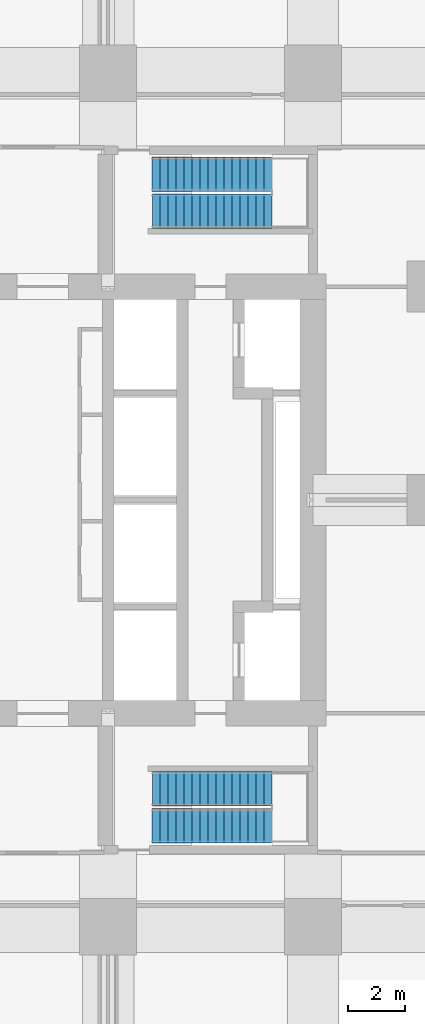
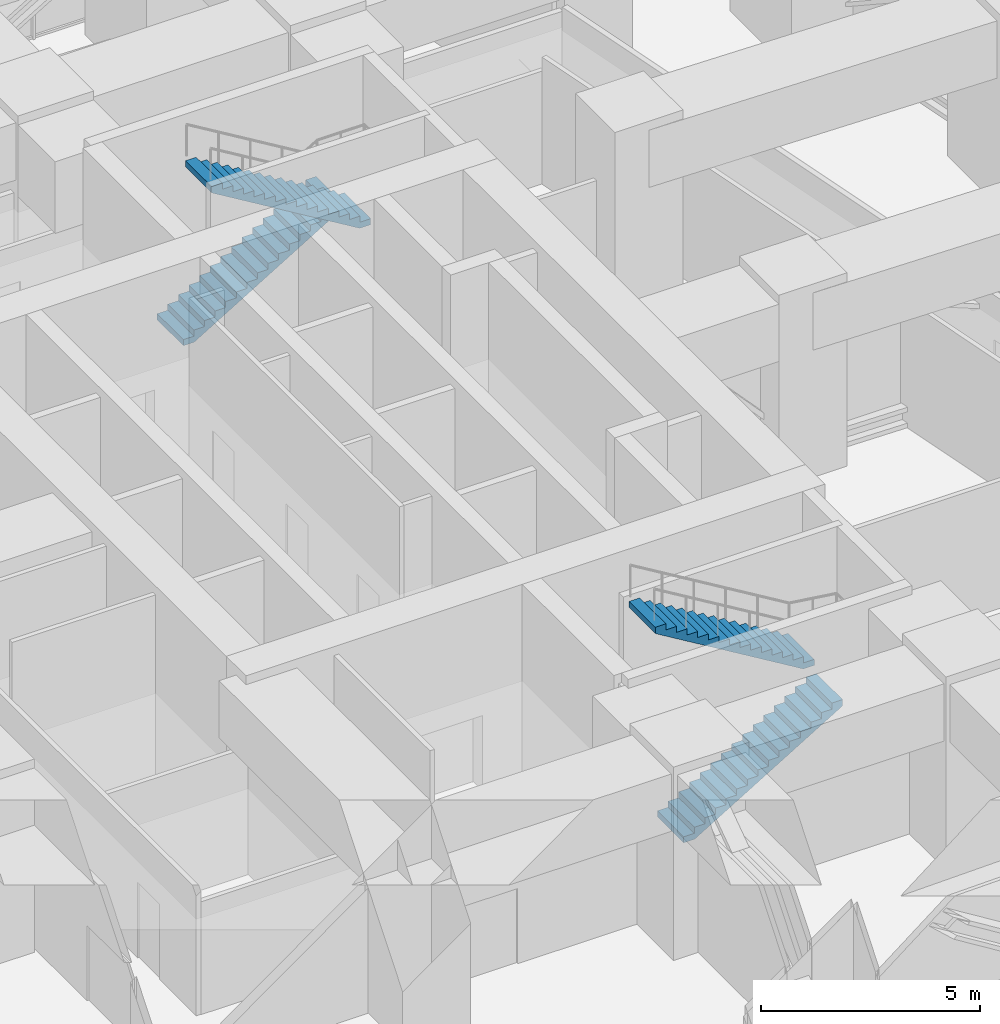
# One storey, part 19 of 20: 4 stair flights, 2 elements without a shape of their own.
"""IFC4 building model written with IfcOpenShell, lengths in metres."""

from ifc_helpers import new_model, si_unit, direction, frame, origin, place, context, subcontext, project, spatial, triangles, material, type_object, element, aggregate, save


model = new_model("IFC4")

# Units and contexts
model_context = context("Model", 3, precision=1e-05, world=origin(), true_north=direction((0.0, 1.0)))
body_context = subcontext(model_context, "Body", "Model", "MODEL_VIEW")
ifc_project = project(units=[si_unit("LENGTHUNIT", "METRE"), si_unit("AREAUNIT", "SQUARE_METRE"), si_unit("VOLUMEUNIT", "CUBIC_METRE"), si_unit("PLANEANGLEUNIT", "RADIAN"), si_unit("MASSUNIT", "GRAM", prefix="KILO")], contexts=[model_context])

# Site, building, storey
site_placement = place(None, origin())
site = spatial("IfcSite", under=ifc_project, at=site_placement, CompositionType="ELEMENT")
building_placement = place(site_placement, origin())
building = spatial("IfcBuilding", under=site, at=building_placement, Name="Sheger Commons Tower", CompositionType="ELEMENT")
storey_placement = place(building_placement, frame((0.0, 0.0, 72.5)))
storey = spatial("IfcBuildingStorey", under=building, at=storey_placement, Name="L18", CompositionType="ELEMENT", Elevation=72.5)

# Stair, stair flights
ifc_material_1 = material(Name="Concrete C35/45", Category="concrete")
stair_type = type_object("IfcStairType", Name="HALF-TURN STAIR 1200 RISE 5400", PredefinedType="HALF_TURN_STAIR", material=ifc_material_1)
stair_1_placement = place(storey_placement, origin())
stair_1 = element("IfcStair", 1, at=stair_1_placement, inside=storey, type_object=stair_type, Name="Stair S1 L18", PredefinedType="HALF_TURN_STAIR")
ifc_material_2 = material(Name="Concrete C35/45", Category="concrete")
stair_flight_type = type_object("IfcStairFlightType", Name="STAIR FLIGHT 1200 16 RISERS OF 169", PredefinedType="STRAIGHT", material=ifc_material_2)
stair_flight_1_placement = place(storey_placement, frame((23.14990234375, 11.050048828125, 0.0), z_axis=(0.0, 0.0, 1.0), x_axis=(1.0, 0.0, 0.0)))
stair_flight_1 = element("IfcStairFlight", 2, at=stair_flight_1_placement, type_object=stair_flight_type, Name="S1 flight 1", NumberOfRisers=16, NumberOfTreads=15, PredefinedType="STRAIGHT", RiserHeight=0.16875, TreadLength=0.28, context=body_context, shape_type="Tessellation", body=[
    triangles([(0.0, 0.5999755859375, 0.0), (0.0, 0.5999755859375, 0.168701171875), (0.280029296875, 0.5999755859375, 0.168701171875), (0.280029296875, 0.5999755859375, 0.33740234375), (0.56005859375, 0.5999755859375, 0.33740234375), (0.56005859375, 0.5999755859375, 0.50634765625), (0.840087890625, 0.5999755859375, 0.50634765625), (0.840087890625, 0.5999755859375, 0.675048828125), (1.1201171875, 0.5999755859375, 0.675048828125), (1.1201171875, 0.5999755859375, 0.84375), (1.39990234375, 0.5999755859375, 0.84375), (1.39990234375, 0.5999755859375, 1.012451171875), (1.679931640625, 0.5999755859375, 1.012451171875), (1.679931640625, 0.5999755859375, 1.18115234375), (1.9599609375, 0.5999755859375, 1.18115234375), (1.9599609375, 0.5999755859375, 1.35009765625), (2.239990234375, 0.5999755859375, 1.35009765625), (2.239990234375, 0.5999755859375, 1.518798828125), (2.52001953125, 0.5999755859375, 1.518798828125), (2.52001953125, 0.5999755859375, 1.6875), (2.800048828125, 0.5999755859375, 1.6875), (2.800048828125, 0.5999755859375, 1.856201171875), (3.080078125, 0.5999755859375, 1.856201171875), (3.080078125, 0.5999755859375, 2.02490234375), (3.360107421875, 0.5999755859375, 2.02490234375), (3.360107421875, 0.5999755859375, 2.19384765625), (3.639892578125, 0.5999755859375, 2.19384765625), (3.639892578125, 0.5999755859375, 2.362548828125), (3.919921875, 0.5999755859375, 2.362548828125), (3.919921875, 0.5999755859375, 2.53125), (4.199951171875, 0.5999755859375, 2.53125), (4.199951171875, 0.5999755859375, 2.356201171875), (0.29052734375, 0.5999755859375, 0.0), (0.0, -0.5999755859375, 0.0), (0.0, -0.5999755859375, 0.168701171875), (0.280029296875, -0.5999755859375, 0.168701171875), (0.280029296875, -0.5999755859375, 0.33740234375), (0.56005859375, -0.5999755859375, 0.33740234375), (0.56005859375, -0.5999755859375, 0.50634765625), (0.840087890625, -0.5999755859375, 0.50634765625), (0.840087890625, -0.5999755859375, 0.675048828125), (1.1201171875, -0.5999755859375, 0.675048828125), (1.1201171875, -0.5999755859375, 0.84375), (1.39990234375, -0.5999755859375, 0.84375), (1.39990234375, -0.5999755859375, 1.012451171875), (1.679931640625, -0.5999755859375, 1.012451171875), (1.679931640625, -0.5999755859375, 1.18115234375), (1.9599609375, -0.5999755859375, 1.18115234375), (1.9599609375, -0.5999755859375, 1.35009765625), (2.239990234375, -0.5999755859375, 1.35009765625), (2.239990234375, -0.5999755859375, 1.518798828125), (2.52001953125, -0.5999755859375, 1.518798828125), (2.52001953125, -0.5999755859375, 1.6875), (2.800048828125, -0.5999755859375, 1.6875), (2.800048828125, -0.5999755859375, 1.856201171875), (3.080078125, -0.5999755859375, 1.856201171875), (3.080078125, -0.5999755859375, 2.02490234375), (3.360107421875, -0.5999755859375, 2.02490234375), (3.360107421875, -0.5999755859375, 2.19384765625), (3.639892578125, -0.5999755859375, 2.19384765625), (3.639892578125, -0.5999755859375, 2.362548828125), (3.919921875, -0.5999755859375, 2.362548828125), (3.919921875, -0.5999755859375, 2.53125), (4.199951171875, -0.5999755859375, 2.53125), (4.199951171875, -0.5999755859375, 2.356201171875), (0.29052734375, -0.5999755859375, 0.0), (0.0, 0.0, 0.0843505859375), (0.1400146484375, 0.0, 0.168701171875), (0.280029296875, 0.0, 0.2530517578125), (0.4200439453125, 0.0, 0.33740234375), (0.56005859375, 0.0, 0.421875), (0.7000732421875, 0.0, 0.50634765625), (0.840087890625, 0.0, 0.5906982421875), (0.9801025390625, 0.0, 0.675048828125), (1.1201171875, 0.0, 0.7593994140625), (1.260009765625, 0.0, 0.84375), (1.39990234375, 0.0, 0.9281005859375), (1.5399169921875, 0.0, 1.012451171875), (1.679931640625, 0.0, 1.0968017578125), (1.8199462890625, 0.0, 1.18115234375), (1.9599609375, 0.0, 1.265625), (2.0999755859375, 0.0, 1.35009765625), (2.239990234375, 0.0, 1.4344482421875), (2.3800048828125, 0.0, 1.518798828125), (2.52001953125, 0.0, 1.6031494140625), (2.6600341796875, 0.0, 1.6875), (2.800048828125, 0.0, 1.7718505859375), (2.9400634765625, 0.0, 1.856201171875), (3.080078125, 0.0, 1.9405517578125), (3.2200927734375, 0.0, 2.02490234375), (3.360107421875, 0.0, 2.109375), (3.5, 0.0, 2.19384765625), (3.639892578125, 0.0, 2.2781982421875), (3.7799072265625, 0.0, 2.362548828125), (3.919921875, 0.0, 2.4468994140625), (4.0599365234375, 0.0, 2.53125), (4.199951171875, 0.0, 2.4437255859375), (2.2452392578125, 0.0, 1.1781005859375), (0.145263671875, 0.0, 0.0)], [[1, 32, 33], [34, 66, 65], [32, 30, 31], [65, 64, 63], [32, 29, 30], [65, 63, 62], [32, 28, 29], [65, 62, 61], [32, 27, 28], [65, 61, 60], [27, 25, 26], [60, 59, 58], [32, 25, 27], [65, 60, 58], [25, 23, 24], [58, 57, 56], [32, 23, 25], [65, 58, 56], [23, 21, 22], [56, 55, 54], [32, 21, 23], [65, 56, 54], [21, 19, 20], [54, 53, 52], [32, 19, 21], [65, 54, 52], [19, 17, 18], [52, 51, 50], [32, 17, 19], [65, 52, 50], [17, 15, 16], [50, 49, 48], [32, 15, 17], [65, 50, 48], [15, 13, 14], [48, 47, 46], [32, 13, 15], [65, 48, 46], [13, 11, 12], [46, 45, 44], [32, 11, 13], [65, 46, 44], [11, 9, 10], [44, 43, 42], [32, 9, 11], [65, 44, 42], [9, 7, 8], [42, 41, 40], [32, 7, 9], [65, 42, 40], [7, 5, 6], [40, 39, 38], [32, 5, 7], [65, 40, 38], [5, 3, 4], [38, 37, 36], [32, 3, 5], [65, 38, 36], [1, 3, 32], [34, 65, 36], [3, 1, 2], [36, 35, 34], [1, 67, 2], [2, 67, 35], [35, 67, 34], [34, 67, 1], [2, 68, 3], [3, 68, 36], [36, 68, 35], [35, 68, 2], [3, 69, 4], [4, 69, 37], [37, 69, 36], [36, 69, 3], [4, 70, 5], [5, 70, 38], [38, 70, 37], [37, 70, 4], [5, 71, 6], [6, 71, 39], [39, 71, 38], [38, 71, 5], [6, 72, 7], [7, 72, 40], [40, 72, 39], [39, 72, 6], [7, 73, 8], [8, 73, 41], [41, 73, 40], [40, 73, 7], [8, 74, 9], [9, 74, 42], [42, 74, 41], [41, 74, 8], [9, 75, 10], [10, 75, 43], [43, 75, 42], [42, 75, 9], [10, 76, 11], [11, 76, 44], [44, 76, 43], [43, 76, 10], [11, 77, 12], [12, 77, 45], [45, 77, 44], [44, 77, 11], [12, 78, 13], [13, 78, 46], [46, 78, 45], [45, 78, 12], [13, 79, 14], [14, 79, 47], [47, 79, 46], [46, 79, 13], [14, 80, 15], [15, 80, 48], [48, 80, 47], [47, 80, 14], [15, 81, 16], [16, 81, 49], [49, 81, 48], [48, 81, 15], [16, 82, 17], [17, 82, 50], [50, 82, 49], [49, 82, 16], [17, 83, 18], [18, 83, 51], [51, 83, 50], [50, 83, 17], [18, 84, 19], [19, 84, 52], [52, 84, 51], [51, 84, 18], [19, 85, 20], [20, 85, 53], [53, 85, 52], [52, 85, 19], [20, 86, 21], [21, 86, 54], [54, 86, 53], [53, 86, 20], [21, 87, 22], [22, 87, 55], [55, 87, 54], [54, 87, 21], [22, 88, 23], [23, 88, 56], [56, 88, 55], [55, 88, 22], [23, 89, 24], [24, 89, 57], [57, 89, 56], [56, 89, 23], [24, 90, 25], [25, 90, 58], [58, 90, 57], [57, 90, 24], [25, 91, 26], [26, 91, 59], [59, 91, 58], [58, 91, 25], [26, 92, 27], [27, 92, 60], [60, 92, 59], [59, 92, 26], [27, 93, 28], [28, 93, 61], [61, 93, 60], [60, 93, 27], [28, 94, 29], [29, 94, 62], [62, 94, 61], [61, 94, 28], [29, 95, 30], [30, 95, 63], [63, 95, 62], [62, 95, 29], [30, 96, 31], [31, 96, 64], [64, 96, 63], [63, 96, 30], [31, 97, 32], [32, 97, 65], [65, 97, 64], [64, 97, 31], [32, 98, 33], [33, 98, 66], [66, 98, 65], [65, 98, 32], [33, 99, 1], [1, 99, 34], [34, 99, 66], [66, 99, 33]], closed=True),
])
stair_flight_2_placement = place(storey_placement, frame((27.35009765625, 12.35009765625, 2.699951171875), z_axis=(0.0, 0.0, 1.0), x_axis=(-1.0, 0.0, 0.0)))
stair_flight_2 = element("IfcStairFlight", 3, at=stair_flight_2_placement, type_object=stair_flight_type, Name="S1 flight 2", NumberOfRisers=16, NumberOfTreads=15, PredefinedType="STRAIGHT", RiserHeight=0.16875, TreadLength=0.28, context=body_context, shape_type="Tessellation", body=[
    triangles([(0.0, 0.5999755859375, 0.0), (0.0, 0.5999755859375, 0.168701171875), (0.280029296875, 0.5999755859375, 0.168701171875), (0.280029296875, 0.5999755859375, 0.33740234375), (0.56005859375, 0.5999755859375, 0.33740234375), (0.56005859375, 0.5999755859375, 0.50634765625), (0.840087890625, 0.5999755859375, 0.50634765625), (0.840087890625, 0.5999755859375, 0.675048828125), (1.1201171875, 0.5999755859375, 0.675048828125), (1.1201171875, 0.5999755859375, 0.84375), (1.39990234375, 0.5999755859375, 0.84375), (1.39990234375, 0.5999755859375, 1.012451171875), (1.679931640625, 0.5999755859375, 1.012451171875), (1.679931640625, 0.5999755859375, 1.18115234375), (1.9599609375, 0.5999755859375, 1.18115234375), (1.9599609375, 0.5999755859375, 1.35009765625), (2.239990234375, 0.5999755859375, 1.35009765625), (2.239990234375, 0.5999755859375, 1.518798828125), (2.52001953125, 0.5999755859375, 1.518798828125), (2.52001953125, 0.5999755859375, 1.6875), (2.800048828125, 0.5999755859375, 1.6875), (2.800048828125, 0.5999755859375, 1.856201171875), (3.080078125, 0.5999755859375, 1.856201171875), (3.080078125, 0.5999755859375, 2.02490234375), (3.360107421875, 0.5999755859375, 2.02490234375), (3.360107421875, 0.5999755859375, 2.19384765625), (3.639892578125, 0.5999755859375, 2.19384765625), (3.639892578125, 0.5999755859375, 2.362548828125), (3.919921875, 0.5999755859375, 2.362548828125), (3.919921875, 0.5999755859375, 2.53125), (4.199951171875, 0.5999755859375, 2.53125), (4.199951171875, 0.5999755859375, 2.356201171875), (0.29052734375, 0.5999755859375, 0.0), (0.0, -0.5999755859375, 0.0), (0.0, -0.5999755859375, 0.168701171875), (0.280029296875, -0.5999755859375, 0.168701171875), (0.280029296875, -0.5999755859375, 0.33740234375), (0.56005859375, -0.5999755859375, 0.33740234375), (0.56005859375, -0.5999755859375, 0.50634765625), (0.840087890625, -0.5999755859375, 0.50634765625), (0.840087890625, -0.5999755859375, 0.675048828125), (1.1201171875, -0.5999755859375, 0.675048828125), (1.1201171875, -0.5999755859375, 0.84375), (1.39990234375, -0.5999755859375, 0.84375), (1.39990234375, -0.5999755859375, 1.012451171875), (1.679931640625, -0.5999755859375, 1.012451171875), (1.679931640625, -0.5999755859375, 1.18115234375), (1.9599609375, -0.5999755859375, 1.18115234375), (1.9599609375, -0.5999755859375, 1.35009765625), (2.239990234375, -0.5999755859375, 1.35009765625), (2.239990234375, -0.5999755859375, 1.518798828125), (2.52001953125, -0.5999755859375, 1.518798828125), (2.52001953125, -0.5999755859375, 1.6875), (2.800048828125, -0.5999755859375, 1.6875), (2.800048828125, -0.5999755859375, 1.856201171875), (3.080078125, -0.5999755859375, 1.856201171875), (3.080078125, -0.5999755859375, 2.02490234375), (3.360107421875, -0.5999755859375, 2.02490234375), (3.360107421875, -0.5999755859375, 2.19384765625), (3.639892578125, -0.5999755859375, 2.19384765625), (3.639892578125, -0.5999755859375, 2.362548828125), (3.919921875, -0.5999755859375, 2.362548828125), (3.919921875, -0.5999755859375, 2.53125), (4.199951171875, -0.5999755859375, 2.53125), (4.199951171875, -0.5999755859375, 2.356201171875), (0.29052734375, -0.5999755859375, 0.0), (0.0, 0.0, 0.0843505859375), (0.1400146484375, 0.0, 0.168701171875), (0.280029296875, 0.0, 0.2530517578125), (0.4200439453125, 0.0, 0.33740234375), (0.56005859375, 0.0, 0.421875), (0.7000732421875, 0.0, 0.50634765625), (0.840087890625, 0.0, 0.5906982421875), (0.9801025390625, 0.0, 0.675048828125), (1.1201171875, 0.0, 0.7593994140625), (1.260009765625, 0.0, 0.84375), (1.39990234375, 0.0, 0.9281005859375), (1.5399169921875, 0.0, 1.012451171875), (1.679931640625, 0.0, 1.0968017578125), (1.8199462890625, 0.0, 1.18115234375), (1.9599609375, 0.0, 1.265625), (2.0999755859375, 0.0, 1.35009765625), (2.239990234375, 0.0, 1.4344482421875), (2.3800048828125, 0.0, 1.518798828125), (2.52001953125, 0.0, 1.6031494140625), (2.6600341796875, 0.0, 1.6875), (2.800048828125, 0.0, 1.7718505859375), (2.9400634765625, 0.0, 1.856201171875), (3.080078125, 0.0, 1.9405517578125), (3.2200927734375, 0.0, 2.02490234375), (3.360107421875, 0.0, 2.109375), (3.5, 0.0, 2.19384765625), (3.639892578125, 0.0, 2.2781982421875), (3.7799072265625, 0.0, 2.362548828125), (3.919921875, 0.0, 2.4468994140625), (4.0599365234375, 0.0, 2.53125), (4.199951171875, 0.0, 2.4437255859375), (2.2452392578125, 0.0, 1.1781005859375), (0.145263671875, 0.0, 0.0)], [[1, 32, 33], [34, 66, 65], [32, 30, 31], [65, 64, 63], [32, 29, 30], [65, 63, 62], [32, 28, 29], [65, 62, 61], [32, 27, 28], [65, 61, 60], [27, 25, 26], [60, 59, 58], [32, 25, 27], [65, 60, 58], [25, 23, 24], [58, 57, 56], [32, 23, 25], [65, 58, 56], [23, 21, 22], [56, 55, 54], [32, 21, 23], [65, 56, 54], [21, 19, 20], [54, 53, 52], [32, 19, 21], [65, 54, 52], [19, 17, 18], [52, 51, 50], [32, 17, 19], [65, 52, 50], [17, 15, 16], [50, 49, 48], [32, 15, 17], [65, 50, 48], [15, 13, 14], [48, 47, 46], [32, 13, 15], [65, 48, 46], [13, 11, 12], [46, 45, 44], [32, 11, 13], [65, 46, 44], [11, 9, 10], [44, 43, 42], [32, 9, 11], [65, 44, 42], [9, 7, 8], [42, 41, 40], [32, 7, 9], [65, 42, 40], [7, 5, 6], [40, 39, 38], [32, 5, 7], [65, 40, 38], [5, 3, 4], [38, 37, 36], [32, 3, 5], [65, 38, 36], [1, 3, 32], [34, 65, 36], [3, 1, 2], [36, 35, 34], [1, 67, 2], [2, 67, 35], [35, 67, 34], [34, 67, 1], [2, 68, 3], [3, 68, 36], [36, 68, 35], [35, 68, 2], [3, 69, 4], [4, 69, 37], [37, 69, 36], [36, 69, 3], [4, 70, 5], [5, 70, 38], [38, 70, 37], [37, 70, 4], [5, 71, 6], [6, 71, 39], [39, 71, 38], [38, 71, 5], [6, 72, 7], [7, 72, 40], [40, 72, 39], [39, 72, 6], [7, 73, 8], [8, 73, 41], [41, 73, 40], [40, 73, 7], [8, 74, 9], [9, 74, 42], [42, 74, 41], [41, 74, 8], [9, 75, 10], [10, 75, 43], [43, 75, 42], [42, 75, 9], [10, 76, 11], [11, 76, 44], [44, 76, 43], [43, 76, 10], [11, 77, 12], [12, 77, 45], [45, 77, 44], [44, 77, 11], [12, 78, 13], [13, 78, 46], [46, 78, 45], [45, 78, 12], [13, 79, 14], [14, 79, 47], [47, 79, 46], [46, 79, 13], [14, 80, 15], [15, 80, 48], [48, 80, 47], [47, 80, 14], [15, 81, 16], [16, 81, 49], [49, 81, 48], [48, 81, 15], [16, 82, 17], [17, 82, 50], [50, 82, 49], [49, 82, 16], [17, 83, 18], [18, 83, 51], [51, 83, 50], [50, 83, 17], [18, 84, 19], [19, 84, 52], [52, 84, 51], [51, 84, 18], [19, 85, 20], [20, 85, 53], [53, 85, 52], [52, 85, 19], [20, 86, 21], [21, 86, 54], [54, 86, 53], [53, 86, 20], [21, 87, 22], [22, 87, 55], [55, 87, 54], [54, 87, 21], [22, 88, 23], [23, 88, 56], [56, 88, 55], [55, 88, 22], [23, 89, 24], [24, 89, 57], [57, 89, 56], [56, 89, 23], [24, 90, 25], [25, 90, 58], [58, 90, 57], [57, 90, 24], [25, 91, 26], [26, 91, 59], [59, 91, 58], [58, 91, 25], [26, 92, 27], [27, 92, 60], [60, 92, 59], [59, 92, 26], [27, 93, 28], [28, 93, 61], [61, 93, 60], [60, 93, 27], [28, 94, 29], [29, 94, 62], [62, 94, 61], [61, 94, 28], [29, 95, 30], [30, 95, 63], [63, 95, 62], [62, 95, 29], [30, 96, 31], [31, 96, 64], [64, 96, 63], [63, 96, 30], [31, 97, 32], [32, 97, 65], [65, 97, 64], [64, 97, 31], [32, 98, 33], [33, 98, 66], [66, 98, 65], [65, 98, 32], [33, 99, 1], [1, 99, 34], [34, 99, 66], [66, 99, 33]], closed=True),
])
aggregate(stair_1, [stair_flight_1, stair_flight_2])

stair_2_placement = place(storey_placement, origin())
stair_2 = element("IfcStair", 4, at=stair_2_placement, inside=storey, type_object=stair_type, Name="Stair S2 L18", PredefinedType="HALF_TURN_STAIR")
stair_flight_3_placement = place(storey_placement, frame((23.14990234375, 33.949951171875, 0.0), z_axis=(0.0, 0.0, 1.0), x_axis=(1.0, 0.0, 0.0)))
stair_flight_3 = element("IfcStairFlight", 5, at=stair_flight_3_placement, type_object=stair_flight_type, Name="S2 flight 1", NumberOfRisers=16, NumberOfTreads=15, PredefinedType="STRAIGHT", RiserHeight=0.16875, TreadLength=0.28, context=body_context, shape_type="Tessellation", body=[
    triangles([(0.0, 0.5999755859375, 0.0), (0.0, 0.5999755859375, 0.168701171875), (0.280029296875, 0.5999755859375, 0.168701171875), (0.280029296875, 0.5999755859375, 0.33740234375), (0.56005859375, 0.5999755859375, 0.33740234375), (0.56005859375, 0.5999755859375, 0.50634765625), (0.840087890625, 0.5999755859375, 0.50634765625), (0.840087890625, 0.5999755859375, 0.675048828125), (1.1201171875, 0.5999755859375, 0.675048828125), (1.1201171875, 0.5999755859375, 0.84375), (1.39990234375, 0.5999755859375, 0.84375), (1.39990234375, 0.5999755859375, 1.012451171875), (1.679931640625, 0.5999755859375, 1.012451171875), (1.679931640625, 0.5999755859375, 1.18115234375), (1.9599609375, 0.5999755859375, 1.18115234375), (1.9599609375, 0.5999755859375, 1.35009765625), (2.239990234375, 0.5999755859375, 1.35009765625), (2.239990234375, 0.5999755859375, 1.518798828125), (2.52001953125, 0.5999755859375, 1.518798828125), (2.52001953125, 0.5999755859375, 1.6875), (2.800048828125, 0.5999755859375, 1.6875), (2.800048828125, 0.5999755859375, 1.856201171875), (3.080078125, 0.5999755859375, 1.856201171875), (3.080078125, 0.5999755859375, 2.02490234375), (3.360107421875, 0.5999755859375, 2.02490234375), (3.360107421875, 0.5999755859375, 2.19384765625), (3.639892578125, 0.5999755859375, 2.19384765625), (3.639892578125, 0.5999755859375, 2.362548828125), (3.919921875, 0.5999755859375, 2.362548828125), (3.919921875, 0.5999755859375, 2.53125), (4.199951171875, 0.5999755859375, 2.53125), (4.199951171875, 0.5999755859375, 2.356201171875), (0.29052734375, 0.5999755859375, 0.0), (0.0, -0.5999755859375, 0.0), (0.0, -0.5999755859375, 0.168701171875), (0.280029296875, -0.5999755859375, 0.168701171875), (0.280029296875, -0.5999755859375, 0.33740234375), (0.56005859375, -0.5999755859375, 0.33740234375), (0.56005859375, -0.5999755859375, 0.50634765625), (0.840087890625, -0.5999755859375, 0.50634765625), (0.840087890625, -0.5999755859375, 0.675048828125), (1.1201171875, -0.5999755859375, 0.675048828125), (1.1201171875, -0.5999755859375, 0.84375), (1.39990234375, -0.5999755859375, 0.84375), (1.39990234375, -0.5999755859375, 1.012451171875), (1.679931640625, -0.5999755859375, 1.012451171875), (1.679931640625, -0.5999755859375, 1.18115234375), (1.9599609375, -0.5999755859375, 1.18115234375), (1.9599609375, -0.5999755859375, 1.35009765625), (2.239990234375, -0.5999755859375, 1.35009765625), (2.239990234375, -0.5999755859375, 1.518798828125), (2.52001953125, -0.5999755859375, 1.518798828125), (2.52001953125, -0.5999755859375, 1.6875), (2.800048828125, -0.5999755859375, 1.6875), (2.800048828125, -0.5999755859375, 1.856201171875), (3.080078125, -0.5999755859375, 1.856201171875), (3.080078125, -0.5999755859375, 2.02490234375), (3.360107421875, -0.5999755859375, 2.02490234375), (3.360107421875, -0.5999755859375, 2.19384765625), (3.639892578125, -0.5999755859375, 2.19384765625), (3.639892578125, -0.5999755859375, 2.362548828125), (3.919921875, -0.5999755859375, 2.362548828125), (3.919921875, -0.5999755859375, 2.53125), (4.199951171875, -0.5999755859375, 2.53125), (4.199951171875, -0.5999755859375, 2.356201171875), (0.29052734375, -0.5999755859375, 0.0), (0.0, 0.0, 0.0843505859375), (0.1400146484375, 0.0, 0.168701171875), (0.280029296875, 0.0, 0.2530517578125), (0.4200439453125, 0.0, 0.33740234375), (0.56005859375, 0.0, 0.421875), (0.7000732421875, 0.0, 0.50634765625), (0.840087890625, 0.0, 0.5906982421875), (0.9801025390625, 0.0, 0.675048828125), (1.1201171875, 0.0, 0.7593994140625), (1.260009765625, 0.0, 0.84375), (1.39990234375, 0.0, 0.9281005859375), (1.5399169921875, 0.0, 1.012451171875), (1.679931640625, 0.0, 1.0968017578125), (1.8199462890625, 0.0, 1.18115234375), (1.9599609375, 0.0, 1.265625), (2.0999755859375, 0.0, 1.35009765625), (2.239990234375, 0.0, 1.4344482421875), (2.3800048828125, 0.0, 1.518798828125), (2.52001953125, 0.0, 1.6031494140625), (2.6600341796875, 0.0, 1.6875), (2.800048828125, 0.0, 1.7718505859375), (2.9400634765625, 0.0, 1.856201171875), (3.080078125, 0.0, 1.9405517578125), (3.2200927734375, 0.0, 2.02490234375), (3.360107421875, 0.0, 2.109375), (3.5, 0.0, 2.19384765625), (3.639892578125, 0.0, 2.2781982421875), (3.7799072265625, 0.0, 2.362548828125), (3.919921875, 0.0, 2.4468994140625), (4.0599365234375, 0.0, 2.53125), (4.199951171875, 0.0, 2.4437255859375), (2.2452392578125, 0.0, 1.1781005859375), (0.145263671875, 0.0, 0.0)], [[1, 32, 33], [34, 66, 65], [32, 30, 31], [65, 64, 63], [32, 29, 30], [65, 63, 62], [32, 28, 29], [65, 62, 61], [32, 27, 28], [65, 61, 60], [27, 25, 26], [60, 59, 58], [32, 25, 27], [65, 60, 58], [25, 23, 24], [58, 57, 56], [32, 23, 25], [65, 58, 56], [23, 21, 22], [56, 55, 54], [32, 21, 23], [65, 56, 54], [21, 19, 20], [54, 53, 52], [32, 19, 21], [65, 54, 52], [19, 17, 18], [52, 51, 50], [32, 17, 19], [65, 52, 50], [17, 15, 16], [50, 49, 48], [32, 15, 17], [65, 50, 48], [15, 13, 14], [48, 47, 46], [32, 13, 15], [65, 48, 46], [13, 11, 12], [46, 45, 44], [32, 11, 13], [65, 46, 44], [11, 9, 10], [44, 43, 42], [32, 9, 11], [65, 44, 42], [9, 7, 8], [42, 41, 40], [32, 7, 9], [65, 42, 40], [7, 5, 6], [40, 39, 38], [32, 5, 7], [65, 40, 38], [5, 3, 4], [38, 37, 36], [32, 3, 5], [65, 38, 36], [1, 3, 32], [34, 65, 36], [3, 1, 2], [36, 35, 34], [1, 67, 2], [2, 67, 35], [35, 67, 34], [34, 67, 1], [2, 68, 3], [3, 68, 36], [36, 68, 35], [35, 68, 2], [3, 69, 4], [4, 69, 37], [37, 69, 36], [36, 69, 3], [4, 70, 5], [5, 70, 38], [38, 70, 37], [37, 70, 4], [5, 71, 6], [6, 71, 39], [39, 71, 38], [38, 71, 5], [6, 72, 7], [7, 72, 40], [40, 72, 39], [39, 72, 6], [7, 73, 8], [8, 73, 41], [41, 73, 40], [40, 73, 7], [8, 74, 9], [9, 74, 42], [42, 74, 41], [41, 74, 8], [9, 75, 10], [10, 75, 43], [43, 75, 42], [42, 75, 9], [10, 76, 11], [11, 76, 44], [44, 76, 43], [43, 76, 10], [11, 77, 12], [12, 77, 45], [45, 77, 44], [44, 77, 11], [12, 78, 13], [13, 78, 46], [46, 78, 45], [45, 78, 12], [13, 79, 14], [14, 79, 47], [47, 79, 46], [46, 79, 13], [14, 80, 15], [15, 80, 48], [48, 80, 47], [47, 80, 14], [15, 81, 16], [16, 81, 49], [49, 81, 48], [48, 81, 15], [16, 82, 17], [17, 82, 50], [50, 82, 49], [49, 82, 16], [17, 83, 18], [18, 83, 51], [51, 83, 50], [50, 83, 17], [18, 84, 19], [19, 84, 52], [52, 84, 51], [51, 84, 18], [19, 85, 20], [20, 85, 53], [53, 85, 52], [52, 85, 19], [20, 86, 21], [21, 86, 54], [54, 86, 53], [53, 86, 20], [21, 87, 22], [22, 87, 55], [55, 87, 54], [54, 87, 21], [22, 88, 23], [23, 88, 56], [56, 88, 55], [55, 88, 22], [23, 89, 24], [24, 89, 57], [57, 89, 56], [56, 89, 23], [24, 90, 25], [25, 90, 58], [58, 90, 57], [57, 90, 24], [25, 91, 26], [26, 91, 59], [59, 91, 58], [58, 91, 25], [26, 92, 27], [27, 92, 60], [60, 92, 59], [59, 92, 26], [27, 93, 28], [28, 93, 61], [61, 93, 60], [60, 93, 27], [28, 94, 29], [29, 94, 62], [62, 94, 61], [61, 94, 28], [29, 95, 30], [30, 95, 63], [63, 95, 62], [62, 95, 29], [30, 96, 31], [31, 96, 64], [64, 96, 63], [63, 96, 30], [31, 97, 32], [32, 97, 65], [65, 97, 64], [64, 97, 31], [32, 98, 33], [33, 98, 66], [66, 98, 65], [65, 98, 32], [33, 99, 1], [1, 99, 34], [34, 99, 66], [66, 99, 33]], closed=True),
])
stair_flight_4_placement = place(storey_placement, frame((27.35009765625, 32.64990234375, 2.699951171875), z_axis=(0.0, 0.0, 1.0), x_axis=(-1.0, 0.0, 0.0)))
stair_flight_4 = element("IfcStairFlight", 6, at=stair_flight_4_placement, type_object=stair_flight_type, Name="S2 flight 2", NumberOfRisers=16, NumberOfTreads=15, PredefinedType="STRAIGHT", RiserHeight=0.16875, TreadLength=0.28, context=body_context, shape_type="Tessellation", body=[
    triangles([(0.0, 0.5999755859375, 0.0), (0.0, 0.5999755859375, 0.168701171875), (0.280029296875, 0.5999755859375, 0.168701171875), (0.280029296875, 0.5999755859375, 0.33740234375), (0.56005859375, 0.5999755859375, 0.33740234375), (0.56005859375, 0.5999755859375, 0.50634765625), (0.840087890625, 0.5999755859375, 0.50634765625), (0.840087890625, 0.5999755859375, 0.675048828125), (1.1201171875, 0.5999755859375, 0.675048828125), (1.1201171875, 0.5999755859375, 0.84375), (1.39990234375, 0.5999755859375, 0.84375), (1.39990234375, 0.5999755859375, 1.012451171875), (1.679931640625, 0.5999755859375, 1.012451171875), (1.679931640625, 0.5999755859375, 1.18115234375), (1.9599609375, 0.5999755859375, 1.18115234375), (1.9599609375, 0.5999755859375, 1.35009765625), (2.239990234375, 0.5999755859375, 1.35009765625), (2.239990234375, 0.5999755859375, 1.518798828125), (2.52001953125, 0.5999755859375, 1.518798828125), (2.52001953125, 0.5999755859375, 1.6875), (2.800048828125, 0.5999755859375, 1.6875), (2.800048828125, 0.5999755859375, 1.856201171875), (3.080078125, 0.5999755859375, 1.856201171875), (3.080078125, 0.5999755859375, 2.02490234375), (3.360107421875, 0.5999755859375, 2.02490234375), (3.360107421875, 0.5999755859375, 2.19384765625), (3.639892578125, 0.5999755859375, 2.19384765625), (3.639892578125, 0.5999755859375, 2.362548828125), (3.919921875, 0.5999755859375, 2.362548828125), (3.919921875, 0.5999755859375, 2.53125), (4.199951171875, 0.5999755859375, 2.53125), (4.199951171875, 0.5999755859375, 2.356201171875), (0.29052734375, 0.5999755859375, 0.0), (0.0, -0.5999755859375, 0.0), (0.0, -0.5999755859375, 0.168701171875), (0.280029296875, -0.5999755859375, 0.168701171875), (0.280029296875, -0.5999755859375, 0.33740234375), (0.56005859375, -0.5999755859375, 0.33740234375), (0.56005859375, -0.5999755859375, 0.50634765625), (0.840087890625, -0.5999755859375, 0.50634765625), (0.840087890625, -0.5999755859375, 0.675048828125), (1.1201171875, -0.5999755859375, 0.675048828125), (1.1201171875, -0.5999755859375, 0.84375), (1.39990234375, -0.5999755859375, 0.84375), (1.39990234375, -0.5999755859375, 1.012451171875), (1.679931640625, -0.5999755859375, 1.012451171875), (1.679931640625, -0.5999755859375, 1.18115234375), (1.9599609375, -0.5999755859375, 1.18115234375), (1.9599609375, -0.5999755859375, 1.35009765625), (2.239990234375, -0.5999755859375, 1.35009765625), (2.239990234375, -0.5999755859375, 1.518798828125), (2.52001953125, -0.5999755859375, 1.518798828125), (2.52001953125, -0.5999755859375, 1.6875), (2.800048828125, -0.5999755859375, 1.6875), (2.800048828125, -0.5999755859375, 1.856201171875), (3.080078125, -0.5999755859375, 1.856201171875), (3.080078125, -0.5999755859375, 2.02490234375), (3.360107421875, -0.5999755859375, 2.02490234375), (3.360107421875, -0.5999755859375, 2.19384765625), (3.639892578125, -0.5999755859375, 2.19384765625), (3.639892578125, -0.5999755859375, 2.362548828125), (3.919921875, -0.5999755859375, 2.362548828125), (3.919921875, -0.5999755859375, 2.53125), (4.199951171875, -0.5999755859375, 2.53125), (4.199951171875, -0.5999755859375, 2.356201171875), (0.29052734375, -0.5999755859375, 0.0), (0.0, 0.0, 0.0843505859375), (0.1400146484375, 0.0, 0.168701171875), (0.280029296875, 0.0, 0.2530517578125), (0.4200439453125, 0.0, 0.33740234375), (0.56005859375, 0.0, 0.421875), (0.7000732421875, 0.0, 0.50634765625), (0.840087890625, 0.0, 0.5906982421875), (0.9801025390625, 0.0, 0.675048828125), (1.1201171875, 0.0, 0.7593994140625), (1.260009765625, 0.0, 0.84375), (1.39990234375, 0.0, 0.9281005859375), (1.5399169921875, 0.0, 1.012451171875), (1.679931640625, 0.0, 1.0968017578125), (1.8199462890625, 0.0, 1.18115234375), (1.9599609375, 0.0, 1.265625), (2.0999755859375, 0.0, 1.35009765625), (2.239990234375, 0.0, 1.4344482421875), (2.3800048828125, 0.0, 1.518798828125), (2.52001953125, 0.0, 1.6031494140625), (2.6600341796875, 0.0, 1.6875), (2.800048828125, 0.0, 1.7718505859375), (2.9400634765625, 0.0, 1.856201171875), (3.080078125, 0.0, 1.9405517578125), (3.2200927734375, 0.0, 2.02490234375), (3.360107421875, 0.0, 2.109375), (3.5, 0.0, 2.19384765625), (3.639892578125, 0.0, 2.2781982421875), (3.7799072265625, 0.0, 2.362548828125), (3.919921875, 0.0, 2.4468994140625), (4.0599365234375, 0.0, 2.53125), (4.199951171875, 0.0, 2.4437255859375), (2.2452392578125, 0.0, 1.1781005859375), (0.145263671875, 0.0, 0.0)], [[1, 32, 33], [34, 66, 65], [32, 30, 31], [65, 64, 63], [32, 29, 30], [65, 63, 62], [32, 28, 29], [65, 62, 61], [32, 27, 28], [65, 61, 60], [27, 25, 26], [60, 59, 58], [32, 25, 27], [65, 60, 58], [25, 23, 24], [58, 57, 56], [32, 23, 25], [65, 58, 56], [23, 21, 22], [56, 55, 54], [32, 21, 23], [65, 56, 54], [21, 19, 20], [54, 53, 52], [32, 19, 21], [65, 54, 52], [19, 17, 18], [52, 51, 50], [32, 17, 19], [65, 52, 50], [17, 15, 16], [50, 49, 48], [32, 15, 17], [65, 50, 48], [15, 13, 14], [48, 47, 46], [32, 13, 15], [65, 48, 46], [13, 11, 12], [46, 45, 44], [32, 11, 13], [65, 46, 44], [11, 9, 10], [44, 43, 42], [32, 9, 11], [65, 44, 42], [9, 7, 8], [42, 41, 40], [32, 7, 9], [65, 42, 40], [7, 5, 6], [40, 39, 38], [32, 5, 7], [65, 40, 38], [5, 3, 4], [38, 37, 36], [32, 3, 5], [65, 38, 36], [1, 3, 32], [34, 65, 36], [3, 1, 2], [36, 35, 34], [1, 67, 2], [2, 67, 35], [35, 67, 34], [34, 67, 1], [2, 68, 3], [3, 68, 36], [36, 68, 35], [35, 68, 2], [3, 69, 4], [4, 69, 37], [37, 69, 36], [36, 69, 3], [4, 70, 5], [5, 70, 38], [38, 70, 37], [37, 70, 4], [5, 71, 6], [6, 71, 39], [39, 71, 38], [38, 71, 5], [6, 72, 7], [7, 72, 40], [40, 72, 39], [39, 72, 6], [7, 73, 8], [8, 73, 41], [41, 73, 40], [40, 73, 7], [8, 74, 9], [9, 74, 42], [42, 74, 41], [41, 74, 8], [9, 75, 10], [10, 75, 43], [43, 75, 42], [42, 75, 9], [10, 76, 11], [11, 76, 44], [44, 76, 43], [43, 76, 10], [11, 77, 12], [12, 77, 45], [45, 77, 44], [44, 77, 11], [12, 78, 13], [13, 78, 46], [46, 78, 45], [45, 78, 12], [13, 79, 14], [14, 79, 47], [47, 79, 46], [46, 79, 13], [14, 80, 15], [15, 80, 48], [48, 80, 47], [47, 80, 14], [15, 81, 16], [16, 81, 49], [49, 81, 48], [48, 81, 15], [16, 82, 17], [17, 82, 50], [50, 82, 49], [49, 82, 16], [17, 83, 18], [18, 83, 51], [51, 83, 50], [50, 83, 17], [18, 84, 19], [19, 84, 52], [52, 84, 51], [51, 84, 18], [19, 85, 20], [20, 85, 53], [53, 85, 52], [52, 85, 19], [20, 86, 21], [21, 86, 54], [54, 86, 53], [53, 86, 20], [21, 87, 22], [22, 87, 55], [55, 87, 54], [54, 87, 21], [22, 88, 23], [23, 88, 56], [56, 88, 55], [55, 88, 22], [23, 89, 24], [24, 89, 57], [57, 89, 56], [56, 89, 23], [24, 90, 25], [25, 90, 58], [58, 90, 57], [57, 90, 24], [25, 91, 26], [26, 91, 59], [59, 91, 58], [58, 91, 25], [26, 92, 27], [27, 92, 60], [60, 92, 59], [59, 92, 26], [27, 93, 28], [28, 93, 61], [61, 93, 60], [60, 93, 27], [28, 94, 29], [29, 94, 62], [62, 94, 61], [61, 94, 28], [29, 95, 30], [30, 95, 63], [63, 95, 62], [62, 95, 29], [30, 96, 31], [31, 96, 64], [64, 96, 63], [63, 96, 30], [31, 97, 32], [32, 97, 65], [65, 97, 64], [64, 97, 31], [32, 98, 33], [33, 98, 66], [66, 98, 65], [65, 98, 32], [33, 99, 1], [1, 99, 34], [34, 99, 66], [66, 99, 33]], closed=True),
])
aggregate(stair_2, [stair_flight_3, stair_flight_4])

save(model, "model.ifc")
